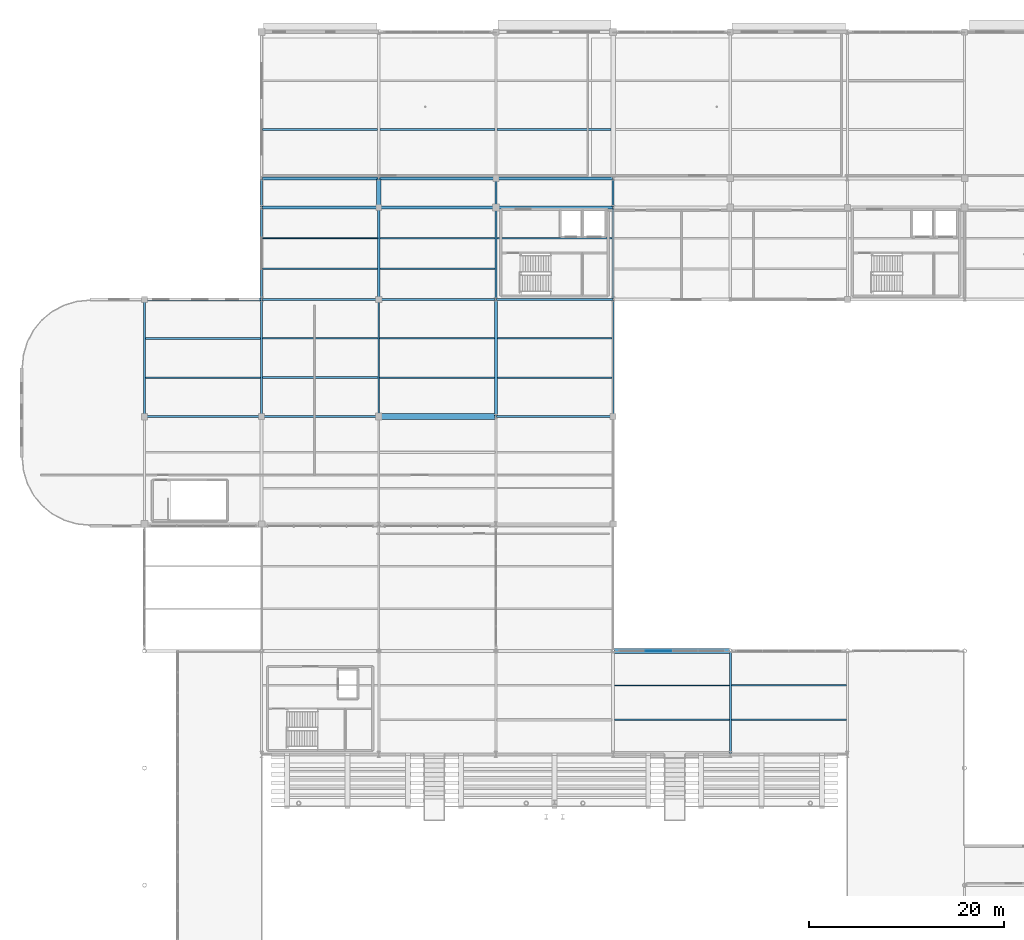
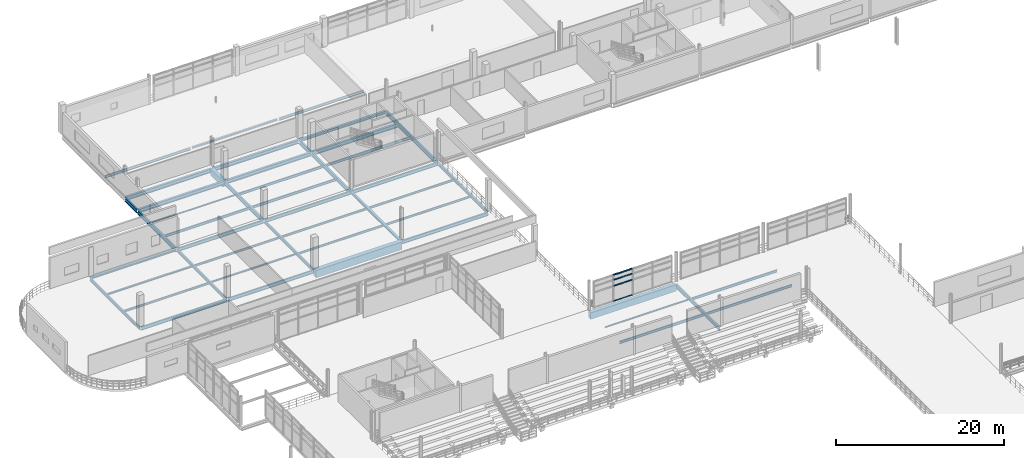
# One storey, part 40 of 89: 49 beams, 4 members, 1 element without a shape of its own.
"""IFC4 building model written with IfcOpenShell, lengths in metres."""

from ifc_helpers import new_model, si_unit, direction, frame, origin, origin_2d, place, context, subcontext, project, spatial, rectangle, i_section, extrude, material, material_profile, profile_set, type_object, element, aggregate, save


model = new_model("IFC4")

# Units and contexts
model_context = context("Model", 3, precision=1e-05, world=origin(), true_north=direction((0.0, 1.0)))
body_context = subcontext(model_context, "Body", "Model", "MODEL_VIEW")
ifc_project = project(units=[si_unit("LENGTHUNIT", "METRE"), si_unit("AREAUNIT", "SQUARE_METRE"), si_unit("VOLUMEUNIT", "CUBIC_METRE"), si_unit("PLANEANGLEUNIT", "RADIAN"), si_unit("MASSUNIT", "GRAM", prefix="KILO"), si_unit("THERMODYNAMICTEMPERATUREUNIT", "KELVIN"), si_unit("POWERUNIT", "WATT")], contexts=[model_context])

# Site, building, storey
site_placement = place(None, origin())
site = spatial("IfcSite", under=ifc_project, at=site_placement, CompositionType="ELEMENT")
building_placement = place(site_placement, origin())
building = spatial("IfcBuilding", under=site, at=building_placement, Name="Solmara Park Aquatics Centre", CompositionType="ELEMENT")
storey_placement = place(building_placement, frame((0.0, 0.0, 5.39990234375)))
storey = spatial("IfcBuildingStorey", under=building, at=storey_placement, Name="L01", CompositionType="ELEMENT", Elevation=5.39990234375)

# Curtain wall, members
ifc_material_1 = material(Name="Anodised Aluminium Curtain Wall Framing", Category="aluminium")
curtain_wall_type = type_object("IfcCurtainWallType", Name="ARC-CW-SYS05", PredefinedType="USERDEFINED", material=ifc_material_1)
curtain_wall_placement = place(storey_placement, origin())
curtain_wall = element("IfcCurtainWall", 1, at=curtain_wall_placement, inside=storey, type_object=curtain_wall_type, Name="Curtain Wall CW-022", ObjectType="CURTAIN WALL", PredefinedType="USERDEFINED")
ifc_material_2 = material(Name="Anodised Aluminium Alloy 6063-T6", Category="aluminium")
ifc_material_profile_1 = material_profile(ifc_material_2, rectangle(XDim=0.074951171875, YDim=0.14990234375, at=origin_2d()), Name="ALU TRANSOM 75x150")
ifc_profile_set_1 = profile_set([ifc_material_profile_1], Name="Anodised Aluminium Alloy 6063-T6")
member_type = type_object("IfcMemberType", Name="ARC-CWT-75x150", PredefinedType="USERDEFINED", material=ifc_profile_set_1)
member_1_placement = place(storey_placement, frame((63.919921875, 72.60009765625, 0.0400390625), z_axis=(1.0, 0.0, 0.0), x_axis=(0.0, 1.0, 0.0)))
member_1 = element("IfcMember", 2, at=member_1_placement, type_object=member_type, Name="CW-022 transom 5", ObjectType="TRANSOM", PredefinedType="USERDEFINED", context=body_context, shape_type="SweptSolid", body=[
    extrude(rectangle(XDim=0.074951171875, YDim=0.14990234375, at=origin_2d()), origin(), (0.0, 0.0, 1.0), 2.6201171875),
])
member_2_placement = place(storey_placement, frame((63.919921875, 72.60009765625, 2.26220703125), z_axis=(1.0, 0.0, 0.0), x_axis=(0.0, 1.0, 0.0)))
member_2 = element("IfcMember", 3, at=member_2_placement, type_object=member_type, Name="CW-022 transom 6", ObjectType="TRANSOM", PredefinedType="USERDEFINED", context=body_context, shape_type="SweptSolid", body=[
    extrude(rectangle(XDim=0.074951171875, YDim=0.14990234375, at=origin_2d()), origin(), (0.0, 0.0, 1.0), 2.6201171875),
])
member_3_placement = place(storey_placement, frame((63.919921875, 72.60009765625, 3.150146484375), z_axis=(1.0, 0.0, 0.0), x_axis=(0.0, 1.0, 0.0)))
member_3 = element("IfcMember", 4, at=member_3_placement, type_object=member_type, Name="CW-022 transom 7", ObjectType="TRANSOM", PredefinedType="USERDEFINED", context=body_context, shape_type="SweptSolid", body=[
    extrude(rectangle(XDim=0.074951171875, YDim=0.14990234375, at=origin_2d()), origin(), (0.0, 0.0, 1.0), 2.6201171875),
])
member_4_placement = place(storey_placement, frame((63.919921875, 72.60009765625, 3.860107421875), z_axis=(1.0, 0.0, 0.0), x_axis=(0.0, 1.0, 0.0)))
member_4 = element("IfcMember", 5, at=member_4_placement, type_object=member_type, Name="CW-022 transom 8", ObjectType="TRANSOM", PredefinedType="USERDEFINED", context=body_context, shape_type="SweptSolid", body=[
    extrude(rectangle(XDim=0.074951171875, YDim=0.14990234375, at=origin_2d()), origin(), (0.0, 0.0, 1.0), 2.6201171875),
])
aggregate(curtain_wall, [member_1, member_2, member_3, member_4])

# Beams
ifc_material_3 = material(Name="Structural Steel S355", Category="steel")
ifc_material_profile_2 = material_profile(ifc_material_3, i_section(OverallWidth=0.300048828125, OverallDepth=0.389892578125, WebThickness=0.010986328125, FlangeThickness=0.01904296875, FilletRadius=0.027099609375, at=origin_2d()), Name="HEA 400")
ifc_profile_set_2 = profile_set([ifc_material_profile_2], Name="Structural Steel S355")
beam_type_1 = type_object("IfcBeamType", Name="STR-BM-HEA400", PredefinedType="BEAM", material=ifc_profile_set_2)
beam_1_placement = place(storey_placement, frame((48.679931640625, 121.0, -0.514892578125), z_axis=(1.0, 0.0, 0.0), x_axis=(0.0, 1.0, 0.0)))
element("IfcBeam", 6, at=beam_1_placement, inside=storey, type_object=beam_type_1, Name="Girder BM-L01-0306", PredefinedType="BEAM", context=body_context, shape_type="SweptSolid", body=[
    extrude(i_section(OverallWidth=0.300048828125, OverallDepth=0.389892578125, WebThickness=0.010986328125, FlangeThickness=0.01904296875, FilletRadius=0.027099609375, at=origin_2d()), origin(), (0.0, 0.0, 1.0), 11.840087890625),
])
ifc_material_profile_3 = material_profile(ifc_material_3, i_section(OverallWidth=0.300048828125, OverallDepth=0.320068359375, WebThickness=0.011474609375, FlangeThickness=0.0205078125, FilletRadius=0.027099609375, at=origin_2d()), Name="HEB 320")
ifc_profile_set_3 = profile_set([ifc_material_profile_3], Name="Structural Steel S355")
beam_type_2 = type_object("IfcBeamType", Name="STR-BM-HEB320", PredefinedType="BEAM", material=ifc_profile_set_3)
beam_2_placement = place(storey_placement, frame((48.60009765625, 96.679931640625, -0.47998046875), z_axis=(0.0, 1.0, 0.0), x_axis=(-1.0, 0.0, 0.0)))
element("IfcBeam", 7, at=beam_2_placement, inside=storey, type_object=beam_type_2, Name="Girder BM-L01-0287", PredefinedType="BEAM", context=body_context, shape_type="SweptSolid", body=[
    extrude(i_section(OverallWidth=0.300048828125, OverallDepth=0.320068359375, WebThickness=0.011474609375, FlangeThickness=0.0205078125, FilletRadius=0.027099609375, at=origin_2d()), origin(), (0.0, 0.0, 1.0), 11.840087890625),
])
ifc_material_profile_4 = material_profile(ifc_material_3, i_section(OverallWidth=0.300048828125, OverallDepth=0.550048828125, WebThickness=0.014892578125, FlangeThickness=0.029052734375, FilletRadius=0.027099609375, at=origin_2d()), Name="HEB 550")
ifc_profile_set_4 = profile_set([ifc_material_profile_4], Name="Structural Steel S355")
beam_type_3 = type_object("IfcBeamType", Name="STR-BM-HEB550", PredefinedType="BEAM", material=ifc_profile_set_4)
for number, where, z_axis, x_axis, name in (
    (8, (24.679931640625, 118.0, -0.594970703125), (1.0, 0.0, 0.0), (0.0, 1.0, 0.0), "Girder BM-L01-0296"),
    (9, (36.679931640625, 118.0, -0.594970703125), (1.0, 0.0, 0.0), (0.0, 1.0, 0.0), "Girder BM-L01-0297"),
    (10, (48.679931640625, 118.0, -0.594970703125), (1.0, 0.0, 0.0), (0.0, 1.0, 0.0), "Girder BM-L01-0298"),
    (11, (24.679931640625, 121.0, -0.594970703125), (1.0, 0.0, 0.0), (0.0, 1.0, 0.0), "Girder BM-L01-0304"),
    (12, (36.679931640625, 121.0, -0.594970703125), (1.0, 0.0, 0.0), (0.0, 1.0, 0.0), "Girder BM-L01-0305"),
):
    element("IfcBeam", number, at=place(storey_placement, frame(where, z_axis=z_axis, x_axis=x_axis)), inside=storey, type_object=beam_type_3, Name=name, PredefinedType="BEAM", context=body_context, shape_type="SweptSolid", body=[
        extrude(i_section(OverallWidth=0.300048828125, OverallDepth=0.550048828125, WebThickness=0.014892578125, FlangeThickness=0.029052734375, FilletRadius=0.027099609375, at=origin_2d()), origin(), (0.0, 0.0, 1.0), 11.840087890625),
    ])
ifc_material_profile_5 = material_profile(ifc_material_3, i_section(OverallWidth=0.18994140625, OverallDepth=0.449951171875, WebThickness=0.009521484375, FlangeThickness=0.0146484375, FilletRadius=0.02099609375, at=origin_2d()), Name="IPE 450")
ifc_profile_set_5 = profile_set([ifc_material_profile_5], Name="Structural Steel S355")
beam_type_4 = type_object("IfcBeamType", Name="STR-BM-IPE450", PredefinedType="BEAM", material=ifc_profile_set_5)
for number, where, z_axis, x_axis, name in (
    (13, (12.60009765625, 96.679931640625, -0.544921875), (0.0, 1.0, 0.0), (-1.0, 0.0, 0.0), "Girder BM-L01-0278"),
    (14, (24.60009765625, 96.679931640625, -0.544921875), (0.0, 1.0, 0.0), (-1.0, 0.0, 0.0), "Girder BM-L01-0281"),
    (15, (36.60009765625, 96.679931640625, -0.544921875), (0.0, 1.0, 0.0), (-1.0, 0.0, 0.0), "Girder BM-L01-0284"),
    (16, (60.60009765625, 96.679931640625, -0.544921875), (0.0, 1.0, 0.0), (-1.0, 0.0, 0.0), "Girder BM-L01-0290"),
):
    element("IfcBeam", number, at=place(storey_placement, frame(where, z_axis=z_axis, x_axis=x_axis)), inside=storey, type_object=beam_type_4, Name=name, PredefinedType="BEAM", context=body_context, shape_type="SweptSolid", body=[
        extrude(i_section(OverallWidth=0.18994140625, OverallDepth=0.449951171875, WebThickness=0.009521484375, FlangeThickness=0.0146484375, FilletRadius=0.02099609375, at=origin_2d()), origin(), (0.0, 0.0, 1.0), 11.840087890625),
    ])
ifc_material_profile_6 = material_profile(ifc_material_3, i_section(OverallWidth=0.199951171875, OverallDepth=0.5, WebThickness=0.01025390625, FlangeThickness=0.01611328125, FilletRadius=0.02099609375, at=origin_2d()), Name="IPE 500")
ifc_profile_set_6 = profile_set([ifc_material_profile_6], Name="Structural Steel S355")
beam_type_5 = type_object("IfcBeamType", Name="STR-BM-IPE500", PredefinedType="BEAM", material=ifc_profile_set_6)
for number, where, z_axis, x_axis, name in (
    (17, (12.679931640625, 96.60009765625, -0.56982421875), (1.0, 0.0, 0.0), (0.0, 1.0, 0.0), "Girder BM-L01-0268"),
    (18, (24.679931640625, 96.60009765625, -0.56982421875), (1.0, 0.0, 0.0), (0.0, 1.0, 0.0), "Girder BM-L01-0269"),
    (19, (48.679931640625, 96.60009765625, -0.56982421875), (1.0, 0.0, 0.0), (0.0, 1.0, 0.0), "Girder BM-L01-0271"),
    (20, (24.679931640625, 108.60009765625, -0.56982421875), (1.0, 0.0, 0.0), (0.0, 1.0, 0.0), "Girder BM-L01-0273"),
    (21, (36.679931640625, 108.60009765625, -0.56982421875), (1.0, 0.0, 0.0), (0.0, 1.0, 0.0), "Girder BM-L01-0274"),
    (22, (48.679931640625, 108.60009765625, -0.56982421875), (1.0, 0.0, 0.0), (0.0, 1.0, 0.0), "Girder BM-L01-0275"),
):
    element("IfcBeam", number, at=place(storey_placement, frame(where, z_axis=z_axis, x_axis=x_axis)), inside=storey, type_object=beam_type_5, Name=name, PredefinedType="BEAM", context=body_context, shape_type="SweptSolid", body=[
        extrude(i_section(OverallWidth=0.199951171875, OverallDepth=0.5, WebThickness=0.01025390625, FlangeThickness=0.01611328125, FilletRadius=0.02099609375, at=origin_2d()), origin(), (0.0, 0.0, 1.0), 11.840087890625),
    ])
ifc_material_profile_7 = material_profile(ifc_material_3, i_section(OverallWidth=0.2099609375, OverallDepth=0.550048828125, WebThickness=0.010986328125, FlangeThickness=0.01708984375, FilletRadius=0.02392578125, at=origin_2d()), Name="IPE 550")
ifc_profile_set_7 = profile_set([ifc_material_profile_7], Name="Structural Steel S355")
beam_type_6 = type_object("IfcBeamType", Name="STR-BM-IPE550", PredefinedType="BEAM", material=ifc_profile_set_7)
beam_3_placement = place(storey_placement, frame((72.60009765625, 62.080078125, -0.6748046875), z_axis=(0.0, 1.0, 0.0), x_axis=(-1.0, 0.0, 0.0)))
element("IfcBeam", 23, at=beam_3_placement, inside=storey, type_object=beam_type_6, Name="Girder BM-L01-0198", PredefinedType="BEAM", context=body_context, shape_type="SweptSolid", body=[
    extrude(i_section(OverallWidth=0.2099609375, OverallDepth=0.550048828125, WebThickness=0.010986328125, FlangeThickness=0.01708984375, FilletRadius=0.02392578125, at=origin_2d()), origin(), (0.0, 0.0, 1.0), 10.43994140625),
])
ifc_material_profile_8 = material_profile(ifc_material_3, i_section(OverallWidth=0.219970703125, OverallDepth=0.60009765625, WebThickness=0.011962890625, FlangeThickness=0.01904296875, FilletRadius=0.02392578125, at=origin_2d()), Name="IPE 600")
ifc_profile_set_8 = profile_set([ifc_material_profile_8], Name="Structural Steel S355")
beam_type_7 = type_object("IfcBeamType", Name="STR-BM-IPE600", PredefinedType="BEAM", material=ifc_profile_set_8)
beam_4_placement = place(storey_placement, frame((24.60009765625, 108.679931640625, -0.619873046875), z_axis=(0.0, 1.0, 0.0), x_axis=(-1.0, 0.0, 0.0)))
element("IfcBeam", 24, at=beam_4_placement, inside=storey, type_object=beam_type_7, Name="Girder BM-L01-0318", PredefinedType="BEAM", context=body_context, shape_type="SweptSolid", body=[
    extrude(i_section(OverallWidth=0.219970703125, OverallDepth=0.60009765625, WebThickness=0.011962890625, FlangeThickness=0.01904296875, FilletRadius=0.02392578125, at=origin_2d()), origin(), (0.0, 0.0, 1.0), 9.239990234375),
])
beam_5_placement = place(storey_placement, frame((24.60009765625, 118.080078125, -0.619873046875), z_axis=(0.0, 1.0, 0.0), x_axis=(-1.0, 0.0, 0.0)))
element("IfcBeam", 25, at=beam_5_placement, inside=storey, type_object=beam_type_7, Name="Girder BM-L01-0319", PredefinedType="BEAM", context=body_context, shape_type="SweptSolid", body=[
    extrude(i_section(OverallWidth=0.219970703125, OverallDepth=0.60009765625, WebThickness=0.011962890625, FlangeThickness=0.01904296875, FilletRadius=0.02392578125, at=origin_2d()), origin(), (0.0, 0.0, 1.0), 2.83984375),
])
for number, where, z_axis, x_axis, name in (
    (26, (36.60009765625, 108.679931640625, -0.619873046875), (0.0, 1.0, 0.0), (-1.0, 0.0, 0.0), "Girder BM-L01-0321"),
    (27, (48.60009765625, 108.679931640625, -0.619873046875), (0.0, 1.0, 0.0), (-1.0, 0.0, 0.0), "Girder BM-L01-0324"),
):
    element("IfcBeam", number, at=place(storey_placement, frame(where, z_axis=z_axis, x_axis=x_axis)), inside=storey, type_object=beam_type_7, Name=name, PredefinedType="BEAM", context=body_context, shape_type="SweptSolid", body=[
        extrude(i_section(OverallWidth=0.219970703125, OverallDepth=0.60009765625, WebThickness=0.011962890625, FlangeThickness=0.01904296875, FilletRadius=0.02392578125, at=origin_2d()), origin(), (0.0, 0.0, 1.0), 9.239990234375),
    ])
beam_6_placement = place(storey_placement, frame((48.60009765625, 118.080078125, -0.619873046875), z_axis=(0.0, 1.0, 0.0), x_axis=(-1.0, 0.0, 0.0)))
element("IfcBeam", 28, at=beam_6_placement, inside=storey, type_object=beam_type_7, Name="Girder BM-L01-0325", PredefinedType="BEAM", context=body_context, shape_type="SweptSolid", body=[
    extrude(i_section(OverallWidth=0.219970703125, OverallDepth=0.60009765625, WebThickness=0.011962890625, FlangeThickness=0.01904296875, FilletRadius=0.02392578125, at=origin_2d()), origin(), (0.0, 0.0, 1.0), 2.83984375),
])
beam_7_placement = place(storey_placement, frame((60.60009765625, 108.679931640625, -0.619873046875), z_axis=(0.0, 1.0, 0.0), x_axis=(-1.0, 0.0, 0.0)))
element("IfcBeam", 29, at=beam_7_placement, inside=storey, type_object=beam_type_7, Name="Girder BM-L01-0327", PredefinedType="BEAM", context=body_context, shape_type="SweptSolid", body=[
    extrude(i_section(OverallWidth=0.219970703125, OverallDepth=0.60009765625, WebThickness=0.011962890625, FlangeThickness=0.01904296875, FilletRadius=0.02392578125, at=origin_2d()), origin(), (0.0, 0.0, 1.0), 9.239990234375),
])
beam_8_placement = place(storey_placement, frame((60.60009765625, 118.080078125, -0.619873046875), z_axis=(0.0, 1.0, 0.0), x_axis=(-1.0, 0.0, 0.0)))
element("IfcBeam", 30, at=beam_8_placement, inside=storey, type_object=beam_type_7, Name="Girder BM-L01-0328", PredefinedType="BEAM", context=body_context, shape_type="SweptSolid", body=[
    extrude(i_section(OverallWidth=0.219970703125, OverallDepth=0.60009765625, WebThickness=0.011962890625, FlangeThickness=0.01904296875, FilletRadius=0.02392578125, at=origin_2d()), origin(), (0.0, 0.0, 1.0), 2.83984375),
])
ifc_material_4 = material(Name="Concrete C40/50", Category="concrete")
ifc_material_profile_9 = material_profile(ifc_material_4, rectangle(XDim=0.5, YDim=0.949951171875, at=origin_2d()), Name="RC 500x950")
ifc_profile_set_9 = profile_set([ifc_material_profile_9], Name="Concrete C40/50")
beam_type_8 = type_object("IfcBeamType", Name="STR-BM-RC500x950", PredefinedType="BEAM", material=ifc_profile_set_9)
beam_9_placement = place(storey_placement, frame((60.679931640625, 72.60009765625, -0.875), z_axis=(1.0, 0.0, 0.0), x_axis=(0.0, 1.0, 0.0)))
element("IfcBeam", 31, at=beam_9_placement, inside=storey, type_object=beam_type_8, Name="Girder BM-L01-0186", PredefinedType="BEAM", context=body_context, shape_type="SweptSolid", body=[
    extrude(rectangle(XDim=0.5, YDim=0.949951171875, at=origin_2d()), origin(), (0.0, 0.0, 1.0), 11.840087890625),
])
beam_10_placement = place(storey_placement, frame((36.60009765625, 118.080078125, -0.794921875), z_axis=(0.0, 1.0, 0.0), x_axis=(-1.0, 0.0, 0.0)))
element("IfcBeam", 32, at=beam_10_placement, inside=storey, type_object=beam_type_8, Name="Girder BM-L01-0322", PredefinedType="BEAM", context=body_context, shape_type="SweptSolid", body=[
    extrude(rectangle(XDim=0.5, YDim=0.949951171875, at=origin_2d()), origin(), (0.0, 0.0, 1.0), 2.83984375),
])
ifc_material_profile_10 = material_profile(ifc_material_4, rectangle(XDim=0.60009765625, YDim=1.10009765625, at=origin_2d()), Name="RC 600x1100")
ifc_profile_set_10 = profile_set([ifc_material_profile_10], Name="Concrete C40/50")
beam_type_9 = type_object("IfcBeamType", Name="STR-BM-RC600x1100", PredefinedType="BEAM", material=ifc_profile_set_10)
beam_11_placement = place(storey_placement, frame((36.679931640625, 96.60009765625, -0.869873046875), z_axis=(1.0, 0.0, 0.0), x_axis=(0.0, 1.0, 0.0)))
element("IfcBeam", 33, at=beam_11_placement, inside=storey, type_object=beam_type_9, Name="Girder BM-L01-0270", PredefinedType="BEAM", context=body_context, shape_type="SweptSolid", body=[
    extrude(rectangle(XDim=0.60009765625, YDim=1.10009765625, at=origin_2d()), origin(), (0.0, 0.0, 1.0), 11.840087890625),
])
ifc_material_profile_11 = material_profile(ifc_material_3, i_section(OverallWidth=0.199951171875, OverallDepth=0.18994140625, WebThickness=0.006591796875, FlangeThickness=0.010009765625, FilletRadius=0.01806640625, at=origin_2d()), Name="HEA 200")
ifc_profile_set_11 = profile_set([ifc_material_profile_11], Name="Structural Steel S355")
beam_type_10 = type_object("IfcBeamType", Name="STR-JST-HEA200", PredefinedType="JOIST", material=ifc_profile_set_11)
beam_12_placement = place(storey_placement, frame((24.695068359375, 100.60009765625, -0.414794921875), z_axis=(1.0, 0.0, 0.0), x_axis=(0.0, 1.0, 0.0)))
element("IfcBeam", 34, at=beam_12_placement, inside=storey, type_object=beam_type_10, Name="Floor Joist JST-L01-0169", PredefinedType="JOIST", context=body_context, shape_type="SweptSolid", body=[
    extrude(i_section(OverallWidth=0.199951171875, OverallDepth=0.18994140625, WebThickness=0.006591796875, FlangeThickness=0.010009765625, FilletRadius=0.01806640625, at=origin_2d()), origin(), (0.0, 0.0, 1.0), 11.809814453125),
])
ifc_material_profile_12 = material_profile(ifc_material_3, i_section(OverallWidth=0.219970703125, OverallDepth=0.2099609375, WebThickness=0.007080078125, FlangeThickness=0.010986328125, FilletRadius=0.01806640625, at=origin_2d()), Name="HEA 220")
ifc_profile_set_12 = profile_set([ifc_material_profile_12], Name="Structural Steel S355")
beam_type_11 = type_object("IfcBeamType", Name="STR-JST-HEA220", PredefinedType="JOIST", material=ifc_profile_set_12)
beam_13_placement = place(storey_placement, frame((12.695068359375, 104.60009765625, -0.4248046875), z_axis=(1.0, 0.0, 0.0), x_axis=(0.0, 1.0, 0.0)))
element("IfcBeam", 35, at=beam_13_placement, inside=storey, type_object=beam_type_11, Name="Floor Joist JST-L01-0164", PredefinedType="JOIST", context=body_context, shape_type="SweptSolid", body=[
    extrude(i_section(OverallWidth=0.219970703125, OverallDepth=0.2099609375, WebThickness=0.007080078125, FlangeThickness=0.010986328125, FilletRadius=0.01806640625, at=origin_2d()), origin(), (0.0, 0.0, 1.0), 11.809814453125),
])
ifc_material_profile_13 = material_profile(ifc_material_3, i_section(OverallWidth=0.239990234375, OverallDepth=0.22998046875, WebThickness=0.007568359375, FlangeThickness=0.011962890625, FilletRadius=0.02099609375, at=origin_2d()), Name="HEA 240")
ifc_profile_set_13 = profile_set([ifc_material_profile_13], Name="Structural Steel S355")
beam_type_12 = type_object("IfcBeamType", Name="STR-JST-HEA240", PredefinedType="JOIST", material=ifc_profile_set_13)
beam_14_placement = place(storey_placement, frame((36.7099609375, 126.0, -0.434814453125), z_axis=(1.0, 0.0, 0.0), x_axis=(0.0, 1.0, 0.0)))
element("IfcBeam", 36, at=beam_14_placement, inside=storey, type_object=beam_type_12, Name="Floor Joist JST-L01-0189", PredefinedType="JOIST", context=body_context, shape_type="SweptSolid", body=[
    extrude(i_section(OverallWidth=0.239990234375, OverallDepth=0.22998046875, WebThickness=0.007568359375, FlangeThickness=0.011962890625, FilletRadius=0.02099609375, at=origin_2d()), origin(), (0.0, 0.0, 1.0), 11.780029296875),
])
ifc_material_profile_14 = material_profile(ifc_material_3, i_section(OverallWidth=0.10009765625, OverallDepth=0.199951171875, WebThickness=0.005615234375, FlangeThickness=0.008544921875, FilletRadius=0.011962890625, at=origin_2d()), Name="IPE 200")
ifc_profile_set_14 = profile_set([ifc_material_profile_14], Name="Structural Steel S355")
beam_type_13 = type_object("IfcBeamType", Name="STR-JST-IPE200", PredefinedType="JOIST", material=ifc_profile_set_14)
beam_15_placement = place(storey_placement, frame((24.7099609375, 114.86669921875, -0.419921875), z_axis=(1.0, 0.0, 0.0), x_axis=(0.0, 1.0, 0.0)))
element("IfcBeam", 37, at=beam_15_placement, inside=storey, type_object=beam_type_13, Name="Floor Joist JST-L01-0184", PredefinedType="JOIST", context=body_context, shape_type="SweptSolid", body=[
    extrude(i_section(OverallWidth=0.10009765625, OverallDepth=0.199951171875, WebThickness=0.005615234375, FlangeThickness=0.008544921875, FilletRadius=0.011962890625, at=origin_2d()), origin(), (0.0, 0.0, 1.0), 11.780029296875),
])
ifc_material_profile_15 = material_profile(ifc_material_3, i_section(OverallWidth=0.110107421875, OverallDepth=0.219970703125, WebThickness=0.005859375, FlangeThickness=0.00927734375, FilletRadius=0.011962890625, at=origin_2d()), Name="IPE 220")
ifc_profile_set_15 = profile_set([ifc_material_profile_15], Name="Structural Steel S355")
beam_type_14 = type_object("IfcBeamType", Name="STR-JST-IPE220", PredefinedType="JOIST", material=ifc_profile_set_15)
beam_16_placement = place(storey_placement, frame((60.75, 69.066650390625, -0.510009765625), z_axis=(1.0, 0.0, 0.0), x_axis=(0.0, 1.0, 0.0)))
element("IfcBeam", 38, at=beam_16_placement, inside=storey, type_object=beam_type_14, Name="Floor Joist JST-L01-0119", PredefinedType="JOIST", context=body_context, shape_type="SweptSolid", body=[
    extrude(i_section(OverallWidth=0.110107421875, OverallDepth=0.219970703125, WebThickness=0.005859375, FlangeThickness=0.00927734375, FilletRadius=0.011962890625, at=origin_2d()), origin(), (0.0, 0.0, 1.0), 11.7451171875),
])
ifc_material_profile_16 = material_profile(ifc_material_3, i_section(OverallWidth=0.14990234375, OverallDepth=0.300048828125, WebThickness=0.007080078125, FlangeThickness=0.0107421875, FilletRadius=0.014892578125, at=origin_2d()), Name="IPE 300")
ifc_profile_set_16 = profile_set([ifc_material_profile_16], Name="Structural Steel S355")
beam_type_15 = type_object("IfcBeamType", Name="STR-JST-IPE300", PredefinedType="JOIST", material=ifc_profile_set_16)
for number, where, z_axis, x_axis, name in (
    (39, (12.695068359375, 100.60009765625, -0.469970703125), (1.0, 0.0, 0.0), (0.0, 1.0, 0.0), "Floor Joist JST-L01-0163"),
    (40, (24.695068359375, 104.60009765625, -0.469970703125), (1.0, 0.0, 0.0), (0.0, 1.0, 0.0), "Floor Joist JST-L01-0170"),
):
    element("IfcBeam", number, at=place(storey_placement, frame(where, z_axis=z_axis, x_axis=x_axis)), inside=storey, type_object=beam_type_15, Name=name, PredefinedType="JOIST", context=body_context, shape_type="SweptSolid", body=[
        extrude(i_section(OverallWidth=0.14990234375, OverallDepth=0.300048828125, WebThickness=0.007080078125, FlangeThickness=0.0107421875, FilletRadius=0.014892578125, at=origin_2d()), origin(), (0.0, 0.0, 1.0), 11.809814453125),
    ])
for number, where, z_axis, x_axis, name in (
    (41, (36.695068359375, 100.60009765625, -0.469970703125), (1.0, 0.0, 0.0), (0.0, 1.0, 0.0), "Floor Joist JST-L01-0175"),
    (42, (36.695068359375, 104.60009765625, -0.469970703125), (1.0, 0.0, 0.0), (0.0, 1.0, 0.0), "Floor Joist JST-L01-0176"),
    (43, (48.75, 100.60009765625, -0.469970703125), (1.0, 0.0, 0.0), (0.0, 1.0, 0.0), "Floor Joist JST-L01-0181"),
    (44, (48.75, 104.60009765625, -0.469970703125), (1.0, 0.0, 0.0), (0.0, 1.0, 0.0), "Floor Joist JST-L01-0182"),
):
    element("IfcBeam", number, at=place(storey_placement, frame(where, z_axis=z_axis, x_axis=x_axis)), inside=storey, type_object=beam_type_15, Name=name, PredefinedType="JOIST", context=body_context, shape_type="SweptSolid", body=[
        extrude(i_section(OverallWidth=0.14990234375, OverallDepth=0.300048828125, WebThickness=0.007080078125, FlangeThickness=0.0107421875, FilletRadius=0.014892578125, at=origin_2d()), origin(), (0.0, 0.0, 1.0), 11.7548828125),
    ])
ifc_material_profile_17 = material_profile(ifc_material_3, i_section(OverallWidth=0.169921875, OverallDepth=0.360107421875, WebThickness=0.008056640625, FlangeThickness=0.0126953125, FilletRadius=0.01806640625, at=origin_2d()), Name="IPE 360")
ifc_profile_set_17 = profile_set([ifc_material_profile_17], Name="Structural Steel S355")
beam_type_16 = type_object("IfcBeamType", Name="STR-JST-IPE360", PredefinedType="JOIST", material=ifc_profile_set_17)
beam_17_placement = place(storey_placement, frame((60.75, 65.533203125, -0.579833984375), z_axis=(1.0, 0.0, 0.0), x_axis=(0.0, 1.0, 0.0)))
element("IfcBeam", 45, at=beam_17_placement, inside=storey, type_object=beam_type_16, Name="Floor Joist JST-L01-0118", PredefinedType="JOIST", context=body_context, shape_type="SweptSolid", body=[
    extrude(i_section(OverallWidth=0.169921875, OverallDepth=0.360107421875, WebThickness=0.008056640625, FlangeThickness=0.0126953125, FilletRadius=0.01806640625, at=origin_2d()), origin(), (0.0, 0.0, 1.0), 11.7451171875),
])
for number, where, z_axis, x_axis, name in (
    (46, (72.705078125, 65.533203125, -0.579833984375), (1.0, 0.0, 0.0), (0.0, 1.0, 0.0), "Floor Joist JST-L01-0122"),
    (47, (72.705078125, 69.066650390625, -0.579833984375), (1.0, 0.0, 0.0), (0.0, 1.0, 0.0), "Floor Joist JST-L01-0123"),
):
    element("IfcBeam", number, at=place(storey_placement, frame(where, z_axis=z_axis, x_axis=x_axis)), inside=storey, type_object=beam_type_16, Name=name, PredefinedType="JOIST", context=body_context, shape_type="SweptSolid", body=[
        extrude(i_section(OverallWidth=0.169921875, OverallDepth=0.360107421875, WebThickness=0.008056640625, FlangeThickness=0.0126953125, FilletRadius=0.01806640625, at=origin_2d()), origin(), (0.0, 0.0, 1.0), 11.7900390625),
    ])
for number, where, z_axis, x_axis, name in (
    (48, (24.7099609375, 111.7333984375, -0.5), (1.0, 0.0, 0.0), (0.0, 1.0, 0.0), "Floor Joist JST-L01-0183"),
    (49, (24.7099609375, 126.0, -0.5), (1.0, 0.0, 0.0), (0.0, 1.0, 0.0), "Floor Joist JST-L01-0185"),
    (50, (36.7099609375, 111.7333984375, -0.5), (1.0, 0.0, 0.0), (0.0, 1.0, 0.0), "Floor Joist JST-L01-0187"),
    (51, (36.7099609375, 114.86669921875, -0.5), (1.0, 0.0, 0.0), (0.0, 1.0, 0.0), "Floor Joist JST-L01-0188"),
    (52, (48.7099609375, 114.86669921875, -0.5), (1.0, 0.0, 0.0), (0.0, 1.0, 0.0), "Floor Joist JST-L01-0191"),
):
    element("IfcBeam", number, at=place(storey_placement, frame(where, z_axis=z_axis, x_axis=x_axis)), inside=storey, type_object=beam_type_16, Name=name, PredefinedType="JOIST", context=body_context, shape_type="SweptSolid", body=[
        extrude(i_section(OverallWidth=0.169921875, OverallDepth=0.360107421875, WebThickness=0.008056640625, FlangeThickness=0.0126953125, FilletRadius=0.01806640625, at=origin_2d()), origin(), (0.0, 0.0, 1.0), 11.780029296875),
    ])
beam_18_placement = place(storey_placement, frame((48.7099609375, 126.0, -0.5), z_axis=(1.0, 0.0, 0.0), x_axis=(0.0, 1.0, 0.0)))
element("IfcBeam", 53, at=beam_18_placement, inside=storey, type_object=beam_type_16, Name="Floor Joist JST-L01-0192", PredefinedType="JOIST", context=body_context, shape_type="SweptSolid", body=[
    extrude(i_section(OverallWidth=0.169921875, OverallDepth=0.360107421875, WebThickness=0.008056640625, FlangeThickness=0.0126953125, FilletRadius=0.01806640625, at=origin_2d()), origin(), (0.0, 0.0, 1.0), 11.6650390625),
])
ifc_material_profile_18 = material_profile(ifc_material_3, i_section(OverallWidth=0.300048828125, OverallDepth=0.2900390625, WebThickness=0.008544921875, FlangeThickness=0.013916015625, FilletRadius=0.027099609375, at=origin_2d()), Name="HEA 300")
ifc_profile_set_18 = profile_set([ifc_material_profile_18], Name="Structural Steel S355")
beam_type_17 = type_object("IfcBeamType", Name="STR-SPD-HEA300", PredefinedType="SPANDREL", material=ifc_profile_set_18)
beam_19_placement = place(storey_placement, frame((12.679931640625, 108.60009765625, -0.46484375), z_axis=(1.0, 0.0, 0.0), x_axis=(0.0, 1.0, 0.0)))
element("IfcBeam", 54, at=beam_19_placement, inside=storey, type_object=beam_type_17, Name="Girder BM-L01-0272", PredefinedType="SPANDREL", context=body_context, shape_type="SweptSolid", body=[
    extrude(i_section(OverallWidth=0.300048828125, OverallDepth=0.2900390625, WebThickness=0.008544921875, FlangeThickness=0.013916015625, FilletRadius=0.027099609375, at=origin_2d()), origin(), (0.0, 0.0, 1.0), 11.840087890625),
])

save(model, "model.ifc")
